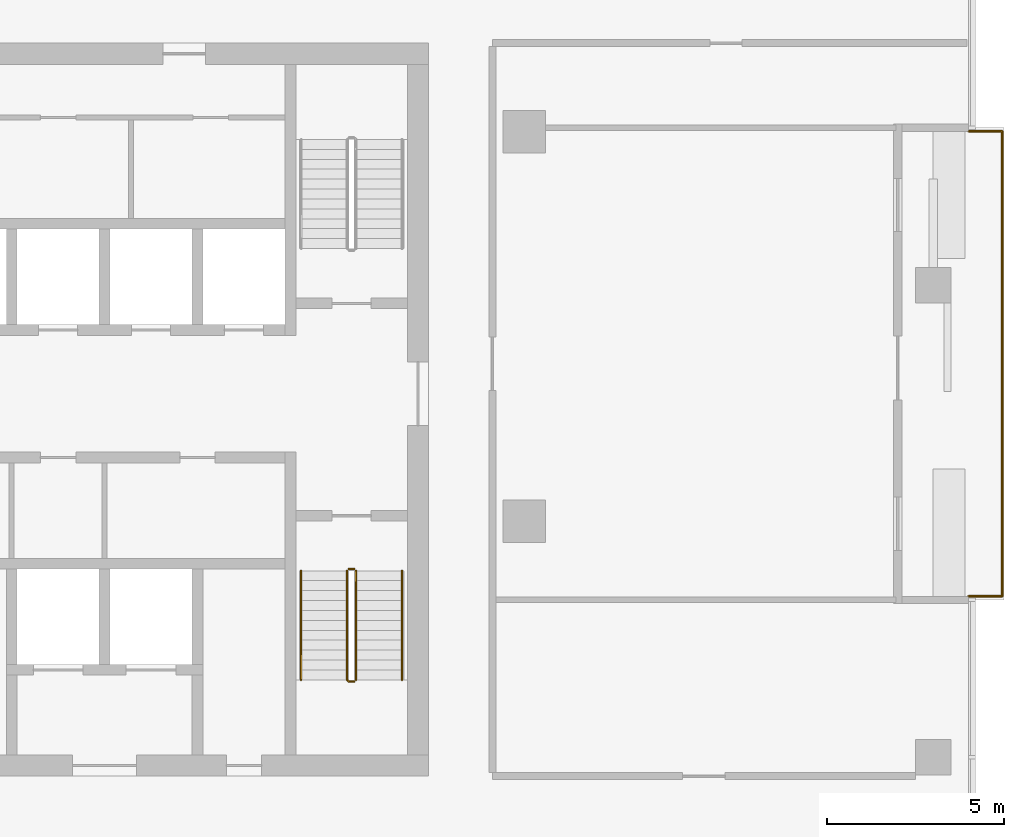
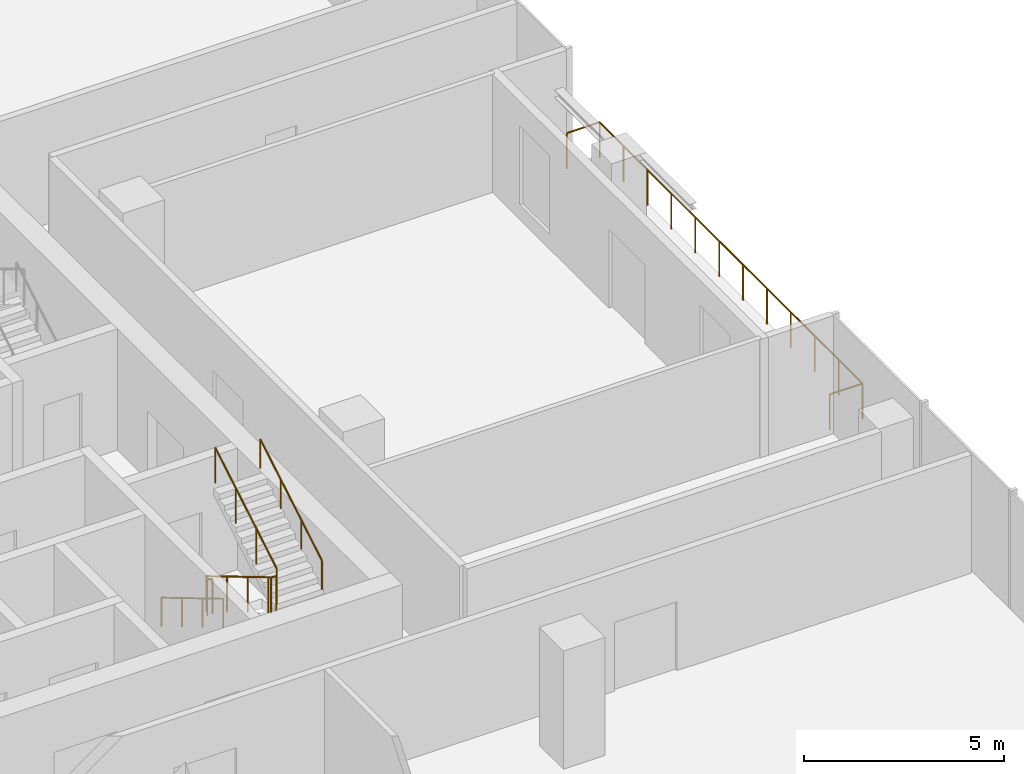
# One storey, part 12 of 13: 6 railings.
"""IFC4 building model written with IfcOpenShell, lengths in metres."""

from ifc_helpers import new_model, si_unit, direction, frame, origin, origin_2d, place, context, subcontext, project, spatial, circle, extrude, material, type_object, element, save


model = new_model("IFC4")

# Units and contexts
model_context = context("Model", 3, precision=1e-05, world=origin(), true_north=direction((0.0, 1.0)))
body_context = subcontext(model_context, "Body", "Model", "MODEL_VIEW")
ifc_project = project(units=[si_unit("LENGTHUNIT", "METRE"), si_unit("AREAUNIT", "SQUARE_METRE"), si_unit("VOLUMEUNIT", "CUBIC_METRE"), si_unit("PLANEANGLEUNIT", "RADIAN"), si_unit("MASSUNIT", "GRAM", prefix="KILO")], contexts=[model_context])

# Site, building, storey
site_placement = place(None, origin())
site = spatial("IfcSite", under=ifc_project, at=site_placement, CompositionType="ELEMENT")
building_placement = place(site_placement, origin())
building = spatial("IfcBuilding", under=site, at=building_placement, Name="Mopane Tessera Tower", CompositionType="ELEMENT")
storey_placement = place(building_placement, frame((0.0, 0.0, 295.39990234375)))
storey = spatial("IfcBuildingStorey", under=building, at=storey_placement, Name="L64", CompositionType="ELEMENT", Elevation=295.39990234375)

# Railings
ifc_material_1 = material(Name="Powder-coated steel balustrade", Category="steel")
railing_type_1 = type_object("IfcRailingType", Name="Escape stair guard 1100 mm", PredefinedType="GUARDRAIL", material=ifc_material_1)
railing_1_placement = place(storey_placement, frame((12.10009765625, -1.39990234375, 0.166748046875)))
element("IfcRailing", 1, at=railing_1_placement, inside=storey, type_object=railing_type_1, Name="L64 ST3 stair guard 1", PredefinedType="GUARDRAIL", context=body_context, shape_type="SweptSolid", body=[
    extrude(circle(Radius=0.02392578125, at=origin_2d()), frame((0.0, 0.0, 1.076171875), z_axis=(0.0, -0.859308565015, 0.511457515432), x_axis=(1.0, 0.0, 0.0)), (0.0, 0.0, 1.0), 3.58447265625),
    extrude(circle(Radius=0.02392578125, at=origin_2d()), frame((0.0, -3.080078125, 2.9091796875), z_axis=(0.705375805398, -0.708833529934, 0.0), x_axis=(0.708833529934, 0.705375805398, 0.0)), (0.0, 0.0, 1.0), 0.070556640625),
    extrude(circle(Radius=0.02392578125, at=origin_2d()), frame((0.0498046875, -3.130126953125, 2.9091796875), z_axis=(1.0, 0.0, 0.0), x_axis=(0.0, 1.0, 0.0)), (0.0, 0.0, 1.0), 0.150146484375),
    extrude(circle(Radius=0.02099609375, at=origin_2d()), origin(), (0.0, 0.0, 1.0), 1.052001953125),
    extrude(circle(Radius=0.02099609375, at=origin_2d()), frame((0.0, -1.026611328125, 0.611083984375)), (0.0, 0.0, 1.0), 1.052001953125),
    extrude(circle(Radius=0.02099609375, at=origin_2d()), frame((0.0, -2.053466796875, 1.22216796875)), (0.0, 0.0, 1.0), 1.052001953125),
    extrude(circle(Radius=0.02099609375, at=origin_2d()), frame((0.0, -3.080078125, 1.833251953125)), (0.0, 0.0, 1.0), 1.052001953125),
    extrude(circle(Radius=0.02099609375, at=origin_2d()), frame((0.0498046875, -3.130126953125, 1.833251953125)), (0.0, 0.0, 1.0), 1.052001953125),
    extrude(circle(Radius=0.02099609375, at=origin_2d()), frame((0.199951171875, -3.130126953125, 1.833251953125)), (0.0, 0.0, 1.0), 1.052001953125),
])
railing_2_placement = place(storey_placement, frame((12.35009765625, -4.47998046875, 2.166748046875)))
element("IfcRailing", 2, at=railing_2_placement, inside=storey, type_object=railing_type_1, Name="L64 ST3 stair guard 2", PredefinedType="GUARDRAIL", context=body_context, shape_type="SweptSolid", body=[
    extrude(circle(Radius=0.02392578125, at=origin_2d()), frame((0.0, 0.0, 1.076171875), z_axis=(0.0, 0.859308565015, 0.511457515432), x_axis=(-1.0, 0.0, 0.0)), (0.0, 0.0, 1.0), 3.58447265625),
    extrude(circle(Radius=0.02099609375, at=origin_2d()), origin(), (0.0, 0.0, 1.0), 1.052001953125),
    extrude(circle(Radius=0.02099609375, at=origin_2d()), frame((0.0, 1.026611328125, 0.611083984375)), (0.0, 0.0, 1.0), 1.052001953125),
    extrude(circle(Radius=0.02099609375, at=origin_2d()), frame((0.0, 2.053466796875, 1.22216796875)), (0.0, 0.0, 1.0), 1.052001953125),
    extrude(circle(Radius=0.02099609375, at=origin_2d()), frame((0.0, 3.080078125, 1.833251953125)), (0.0, 0.0, 1.0), 1.052001953125),
])
railing_3_placement = place(storey_placement, frame((12.14990234375, -1.35009765625, 0.0)))
element("IfcRailing", 3, at=railing_3_placement, inside=storey, type_object=railing_type_1, Name="L64 ST3 stair guard 3", PredefinedType="GUARDRAIL", context=body_context, shape_type="SweptSolid", body=[
    extrude(circle(Radius=0.02392578125, at=origin_2d()), frame((0.0, 0.0, 1.076171875), z_axis=(1.0, 0.0, 0.0), x_axis=(0.0, 1.0, 0.0)), (0.0, 0.0, 1.0), 0.150146484375),
    extrude(circle(Radius=0.02099609375, at=origin_2d()), origin(), (0.0, 0.0, 1.0), 1.052001953125),
    extrude(circle(Radius=0.02099609375, at=origin_2d()), frame((0.150146484375, 0.0, 0.0)), (0.0, 0.0, 1.0), 1.052001953125),
])
ifc_material_2 = material(Name="Powder-coated steel balustrade", Category="steel")
railing_type_2 = type_object("IfcRailingType", Name="Escape stair handrail 900 mm", PredefinedType="HANDRAIL", material=ifc_material_2)
railing_4_placement = place(storey_placement, frame((10.800048828125, -1.39990234375, 0.166748046875)))
element("IfcRailing", 4, at=railing_4_placement, inside=storey, type_object=railing_type_2, Name="L64 ST3 stair handrail 1", PredefinedType="HANDRAIL", context=body_context, shape_type="SweptSolid", body=[
    extrude(circle(Radius=0.02392578125, at=origin_2d()), frame((0.0, 0.0, 0.8759765625), z_axis=(0.0, -0.859308565015, 0.511457515432), x_axis=(1.0, 0.0, 0.0)), (0.0, 0.0, 1.0), 3.58447265625),
    extrude(circle(Radius=0.02099609375, at=origin_2d()), origin(), (0.0, 0.0, 1.0), 0.851806640625),
    extrude(circle(Radius=0.02099609375, at=origin_2d()), frame((0.0, -1.026611328125, 0.611083984375)), (0.0, 0.0, 1.0), 0.851806640625),
    extrude(circle(Radius=0.02099609375, at=origin_2d()), frame((0.0, -2.053466796875, 1.22216796875)), (0.0, 0.0, 1.0), 0.851806640625),
    extrude(circle(Radius=0.02099609375, at=origin_2d()), frame((0.0, -3.080078125, 1.833251953125)), (0.0, 0.0, 1.0), 0.851806640625),
])
railing_5_placement = place(storey_placement, frame((13.64990234375, -4.47998046875, 2.166748046875)))
element("IfcRailing", 5, at=railing_5_placement, inside=storey, type_object=railing_type_2, Name="L64 ST3 stair handrail 2", PredefinedType="HANDRAIL", context=body_context, shape_type="SweptSolid", body=[
    extrude(circle(Radius=0.02392578125, at=origin_2d()), frame((0.0, 0.0, 0.8759765625), z_axis=(0.0, 0.859308565015, 0.511457515432), x_axis=(-1.0, 0.0, 0.0)), (0.0, 0.0, 1.0), 3.58447265625),
    extrude(circle(Radius=0.02099609375, at=origin_2d()), origin(), (0.0, 0.0, 1.0), 0.851806640625),
    extrude(circle(Radius=0.02099609375, at=origin_2d()), frame((0.0, 1.026611328125, 0.611083984375)), (0.0, 0.0, 1.0), 0.851806640625),
    extrude(circle(Radius=0.02099609375, at=origin_2d()), frame((0.0, 2.053466796875, 1.22216796875)), (0.0, 0.0, 1.0), 0.851806640625),
    extrude(circle(Radius=0.02099609375, at=origin_2d()), frame((0.0, 3.080078125, 1.833251953125)), (0.0, 0.0, 1.0), 0.851806640625),
])
ifc_material_3 = material(Name="Stainless steel S316", Category="steel")
railing_type_3 = type_object("IfcRailingType", Name="Terrace guard 1100", PredefinedType="GUARDRAIL", material=ifc_material_3)
railing_6_placement = place(storey_placement, frame((29.64990234375, -2.122314453125, 0.0)))
element("IfcRailing", 6, at=railing_6_placement, inside=storey, type_object=railing_type_3, Name="e:nw:L64:N1:guard", PredefinedType="GUARDRAIL", context=body_context, shape_type="SweptSolid", body=[
    extrude(circle(Radius=0.02392578125, at=origin_2d()), frame((0.0, 0.0, 1.076171875), z_axis=(1.0, 0.0, 0.0), x_axis=(0.0, 1.0, 0.0)), (0.0, 0.0, 1.0), 0.9501953125),
    extrude(circle(Radius=0.02392578125, at=origin_2d()), frame((0.9501953125, 0.0, 1.076171875), z_axis=(0.0, 1.0, 0.0), x_axis=(-1.0, 0.0, 0.0)), (0.0, 0.0, 1.0), 13.133544921875),
    extrude(circle(Radius=0.02392578125, at=origin_2d()), frame((0.9501953125, 13.133544921875, 1.076171875), z_axis=(-1.0, 0.0, 0.0), x_axis=(0.0, -1.0, 0.0)), (0.0, 0.0, 1.0), 0.9501953125),
    extrude(circle(Radius=0.02099609375, at=origin_2d()), origin(), (0.0, 0.0, 1.0), 1.052001953125),
    extrude(circle(Radius=0.02099609375, at=origin_2d()), frame((0.9501953125, 0.0, 0.0)), (0.0, 0.0, 1.0), 1.052001953125),
    extrude(circle(Radius=0.02099609375, at=origin_2d()), frame((0.9501953125, 1.19384765625, 0.0)), (0.0, 0.0, 1.0), 1.052001953125),
    extrude(circle(Radius=0.02099609375, at=origin_2d()), frame((0.9501953125, 2.387939453125, 0.0)), (0.0, 0.0, 1.0), 1.052001953125),
    extrude(circle(Radius=0.02099609375, at=origin_2d()), frame((0.9501953125, 3.581787109375, 0.0)), (0.0, 0.0, 1.0), 1.052001953125),
    extrude(circle(Radius=0.02099609375, at=origin_2d()), frame((0.9501953125, 4.77587890625, 0.0)), (0.0, 0.0, 1.0), 1.052001953125),
    extrude(circle(Radius=0.02099609375, at=origin_2d()), frame((0.9501953125, 5.9697265625, 0.0)), (0.0, 0.0, 1.0), 1.052001953125),
    extrude(circle(Radius=0.02099609375, at=origin_2d()), frame((0.9501953125, 7.163818359375, 0.0)), (0.0, 0.0, 1.0), 1.052001953125),
    extrude(circle(Radius=0.02099609375, at=origin_2d()), frame((0.9501953125, 8.357666015625, 0.0)), (0.0, 0.0, 1.0), 1.052001953125),
    extrude(circle(Radius=0.02099609375, at=origin_2d()), frame((0.9501953125, 9.5517578125, 0.0)), (0.0, 0.0, 1.0), 1.052001953125),
    extrude(circle(Radius=0.02099609375, at=origin_2d()), frame((0.9501953125, 10.74560546875, 0.0)), (0.0, 0.0, 1.0), 1.052001953125),
    extrude(circle(Radius=0.02099609375, at=origin_2d()), frame((0.9501953125, 11.939697265625, 0.0)), (0.0, 0.0, 1.0), 1.052001953125),
    extrude(circle(Radius=0.02099609375, at=origin_2d()), frame((0.9501953125, 13.133544921875, 0.0)), (0.0, 0.0, 1.0), 1.052001953125),
    extrude(circle(Radius=0.02099609375, at=origin_2d()), frame((0.0, 13.133544921875, 0.0)), (0.0, 0.0, 1.0), 1.052001953125),
])

save(model, "model.ifc")
